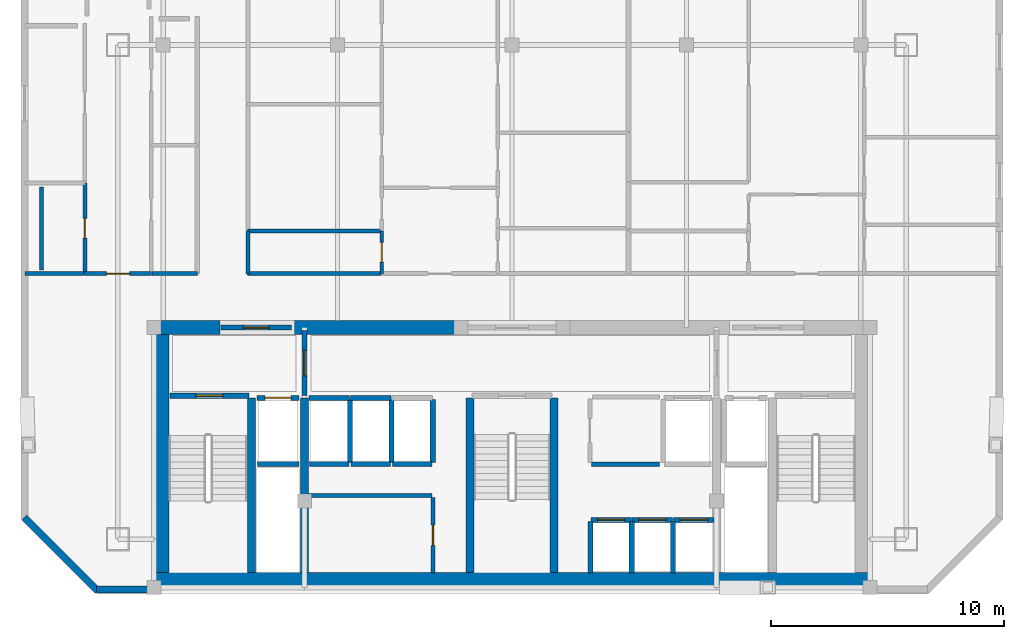
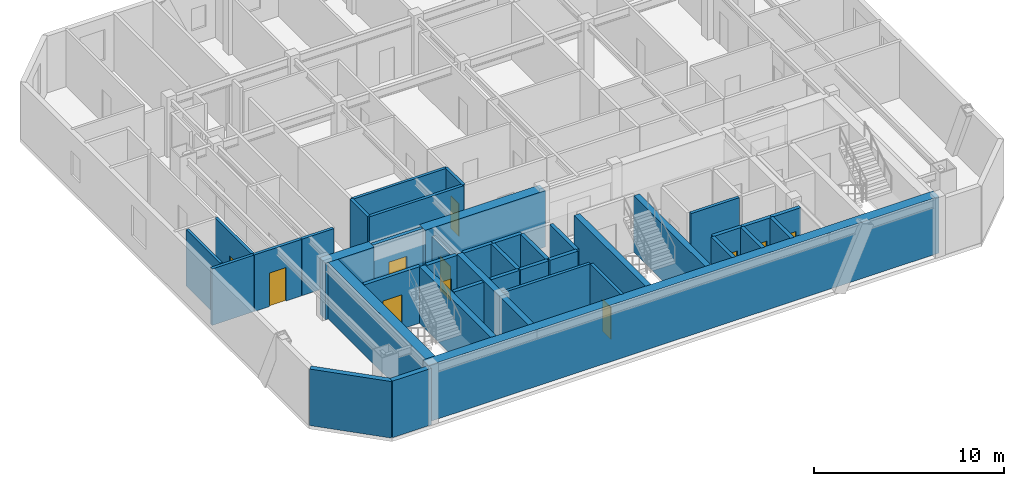
# One storey, part 2 of 7: 41 walls, 11 doors, 11 openings.
"""IFC4 building model written with IfcOpenShell, lengths in metres."""

from ifc_helpers import new_model, si_unit, direction, frame, frame_2d, origin, place, context, subcontext, project, spatial, rectangle, extrude, material, layer, layer_set, type_object, element, fill, save


model = new_model("IFC4")

# Units and contexts
model_context = context("Model", 3, precision=1e-05, world=origin(), true_north=direction((0.0, 1.0)))
body_context = subcontext(model_context, "Body", "Model", "MODEL_VIEW")
ifc_project = project(units=[si_unit("LENGTHUNIT", "METRE"), si_unit("AREAUNIT", "SQUARE_METRE"), si_unit("VOLUMEUNIT", "CUBIC_METRE"), si_unit("PLANEANGLEUNIT", "RADIAN"), si_unit("MASSUNIT", "GRAM", prefix="KILO")], contexts=[model_context])

# Site, building, storey
site_placement = place(None, origin())
site = spatial("IfcSite", under=ifc_project, at=site_placement, CompositionType="ELEMENT")
building_placement = place(site_placement, origin())
building = spatial("IfcBuilding", under=site, at=building_placement, Name="Ventersveld Concourse Tower", CompositionType="ELEMENT")
storey_placement = place(building_placement, frame((0.0, 0.0, 238.800048828125)))
storey = spatial("IfcBuildingStorey", under=building, at=storey_placement, Name="L59", CompositionType="ELEMENT", Elevation=238.800048828125)

# Walls
ifc_material_1 = material(Name="Concrete C50/60", Category="concrete")
ifc_layer_1 = layer(ifc_material_1, 0.35009765625)
ifc_layer_set_1 = layer_set([ifc_layer_1], Name="Concrete C50/60")
wall_type_1 = type_object("IfcWallType", Name="WL-CORE-350U", PredefinedType="SHEAR", material=ifc_layer_set_1)
for number, where, z_axis, x_axis, name in (
    (1, (17.5400390625, 0.919921875, 0.0), (0.0, 0.0, 1.0), (0.0, 1.0, 0.0), "L59 Core Internal Shear Web W-ST1-E"),
    (2, (19.820068359375, 0.919921875, 0.0), (0.0, 0.0, 1.0), (0.0, 1.0, 0.0), "L59 Core Internal Shear Web W-FF1-E"),
    (3, (26.93994140625, 0.919921875, 0.0), (0.0, 0.0, 1.0), (0.0, 1.0, 0.0), "L59 Core Internal Shear Web W-ST3-W"),
    (4, (30.56005859375, 0.919921875, 0.0), (0.0, 0.0, 1.0), (0.0, 1.0, 0.0), "L59 Core Internal Shear Web W-ST3-E"),
):
    element("IfcWall", number, at=place(storey_placement, frame(where, z_axis=z_axis, x_axis=x_axis)), inside=storey, type_object=wall_type_1, Name=name, PredefinedType="SHEAR", context=body_context, shape_type="SweptSolid", body=[
        extrude(rectangle(XDim=7.5, YDim=0.35009765625, at=frame_2d((3.75, 0.0))), origin(), (0.0, 0.0, 1.0), 3.6298828125),
    ])
ifc_layer_2 = layer(ifc_material_1, 0.60009765625)
ifc_layer_set_2 = layer_set([ifc_layer_2], Name="Concrete C50/60")
wall_type_2 = type_object("IfcWallType", Name="WL-CORE-600", PredefinedType="SHEAR", material=ifc_layer_set_2)
wall_1_placement = place(storey_placement, frame((13.25, 0.6201171875, 0.0), z_axis=(0.0, 0.0, 1.0), x_axis=(1.0, 0.0, 0.0)))
element("IfcWall", 5, at=wall_1_placement, inside=storey, type_object=wall_type_2, Name="L59 Rear Core South Shear Wall", PredefinedType="SHEAR", context=body_context, shape_type="SweptSolid", body=[
    extrude(rectangle(XDim=31.0, YDim=0.60009765625, at=frame_2d((15.5, 0.0))), origin(), (0.0, 0.0, 1.0), 3.6298828125),
])
wall_2_placement = place(storey_placement, frame((13.699951171875, 0.919921875, 0.0), z_axis=(0.0, 0.0, 1.0), x_axis=(0.0, 1.0, 0.0)))
element("IfcWall", 6, at=wall_2_placement, inside=storey, type_object=wall_type_2, Name="L59 Rear Core West Shear Wall", PredefinedType="SHEAR", context=body_context, shape_type="SweptSolid", body=[
    extrude(rectangle(XDim=10.530029296875, YDim=0.60009765625, at=frame_2d((5.26513671875, 0.0))), origin(), (0.0, 0.0, 1.0), 3.6298828125),
])
wall_3_placement = place(storey_placement, frame((13.25, 11.449951171875, 0.0), z_axis=(0.0, 0.0, 1.0), x_axis=(1.0, 0.0, 0.0)))
element("IfcWall", 7, at=wall_3_placement, inside=storey, type_object=wall_type_2, Name="L59 Rear Core North Shear Wall NW", PredefinedType="SHEAR", context=body_context, shape_type="SweptSolid", body=[
    extrude(rectangle(XDim=2.949951171875, YDim=0.60009765625, at=frame_2d((1.47509765625, 0.0))), origin(), (0.0, 0.0, 1.0), 3.6298828125),
])
wall_4_placement = place(storey_placement, frame((19.300048828125, 11.449951171875, 0.0), z_axis=(0.0, 0.0, 1.0), x_axis=(1.0, 0.0, 0.0)))
element("IfcWall", 8, at=wall_4_placement, inside=storey, type_object=wall_type_2, Name="L59 Rear Core North Shear Wall NML", PredefinedType="SHEAR", context=body_context, shape_type="SweptSolid", body=[
    extrude(rectangle(XDim=7.300048828125, YDim=0.60009765625, at=frame_2d((3.64990234375, 0.0))), origin(), (0.0, 0.0, 1.0), 3.6298828125),
])

# Wall, opening, door
ifc_material_2 = material(Name="Fire-rated autoclaved aerated masonry blockwork", Category="masonry")
ifc_layer_3 = layer(ifc_material_2, 0.179931640625)
ifc_layer_set_3 = layer_set([ifc_layer_3], Name="Fire-rated autoclaved aerated masonry blockwork")
wall_type_3 = type_object("IfcWallType", Name="WL-CORR-180", PredefinedType="PARTITIONING", material=ifc_layer_set_3)
wall_5_placement = place(storey_placement, frame((25.35009765625, 0.89990234375, 0.0), z_axis=(0.0, 0.0, 1.0), x_axis=(0.0, 1.0, 0.0)))
wall_5 = element("IfcWall", 9, at=wall_5_placement, inside=storey, type_object=wall_type_3, Name="L59 Core Passage Wall SP-L59-RECB1A", PredefinedType="PARTITIONING", context=body_context, shape_type="SweptSolid", body=[
    extrude(rectangle(XDim=3.239990234375, YDim=0.179931640625, at=frame_2d((1.6201171875, 0.0))), origin(), (0.0, 0.0, 1.0), 3.6298828125),
])
opening_1_placement = place(wall_5_placement, frame((1.179931640625, 0.0, 0.0)))
opening_1 = element("IfcOpeningElement", 10, at=opening_1_placement, cuts=wall_5, Name="Opening FD5", PredefinedType="OPENING", context=body_context, shape_type="SweptSolid", body=[
    extrude(rectangle(XDim=0.8798828125, YDim=2.050048828125, at=frame_2d((0.43994140625, 1.02490234375))), frame((0.0, 0.10009765625, 0.0), z_axis=(0.0, -1.0, 0.0), x_axis=(1.0, 0.0, 0.0)), (0.0, 0.0, 1.0), 0.199951171875),
])
ifc_material_3 = material(Name="Galvanised painted steel", Category="steel")
door_type_1 = type_object("IfcDoorType", Name="DR-RISER-088", OperationType="NOTDEFINED", PredefinedType="DOOR", material=ifc_material_3)
door_1_placement = place(opening_1_placement, origin())
door_1 = element("IfcDoor", 11, at=door_1_placement, inside=storey, type_object=door_type_1, Name="L59 Core Room Door L59 Reclaimed Core Quiet Study Pod (CD-L59-2828)", OperationType="SINGLE_SWING_LEFT", OverallHeight=2.050048828125, OverallWidth=0.8798828125, PredefinedType="DOOR", context=body_context, shape_type="SweptSolid", body=[
    extrude(rectangle(XDim=0.8798828125, YDim=2.050048828125, at=frame_2d((0.43994140625, 1.02490234375))), frame((0.0, 0.02490234375, 0.0), z_axis=(0.0, -1.0, 0.0), x_axis=(1.0, 0.0, 0.0)), (0.0, 0.0, 1.0), 0.050048828125),
])
fill(opening_1, door_1)

# Walls
wall_6_placement = place(storey_placement, frame((19.97998046875, 4.22998046875, 0.0), z_axis=(0.0, 0.0, 1.0), x_axis=(1.0, 0.0, 0.0)))
element("IfcWall", 12, at=wall_6_placement, inside=storey, type_object=wall_type_3, Name="L59 Core Top Wall SP-L59-RECB1A", PredefinedType="PARTITIONING", context=body_context, shape_type="SweptSolid", body=[
    extrude(rectangle(XDim=5.320068359375, YDim=0.179931640625, at=frame_2d((2.66015625, 0.0))), origin(), (0.0, 0.0, 1.0), 3.6298828125),
])
wall_7_placement = place(storey_placement, frame((32.179931640625, 5.570068359375, 0.0), z_axis=(0.0, 0.0, 1.0), x_axis=(1.0, 0.0, 0.0)))
element("IfcWall", 13, at=wall_7_placement, inside=storey, type_object=wall_type_3, Name="L59 Core Bot Wall SP-L59-CBAY1", PredefinedType="PARTITIONING", context=body_context, shape_type="SweptSolid", body=[
    extrude(rectangle(XDim=2.920166015625, YDim=0.179931640625, at=frame_2d((1.4599609375, 0.0))), origin(), (0.0, 0.0, 1.0), 3.6298828125),
])

# Wall, opening, door
wall_8_placement = place(storey_placement, frame((10.375, 13.77001953125, 0.0), z_axis=(0.0, 0.0, 1.0), x_axis=(1.0, 0.0, 0.0)))
wall_8 = element("IfcWall", 14, at=wall_8_placement, inside=storey, type_object=wall_type_3, Name="L59 Interior Partition SP-L59-COR-SP-L59-59NW-LIV", PredefinedType="PARTITIONING", context=body_context, shape_type="SweptSolid", body=[
    extrude(rectangle(XDim=2.864990234375, YDim=0.179931640625, at=frame_2d((1.4326171875, 0.0))), origin(), (0.0, 0.0, 1.0), 3.6298828125),
])
opening_2_placement = place(wall_8_placement, frame((0.9326171875, 0.0, 0.0)))
opening_2 = element("IfcOpeningElement", 15, at=opening_2_placement, cuts=wall_8, Name="Opening FD3", PredefinedType="OPENING", context=body_context, shape_type="SweptSolid", body=[
    extrude(rectangle(XDim=1.0, YDim=2.14990234375, at=frame_2d((0.5, 1.074951171875))), frame((0.0, 0.10009765625, 0.0), z_axis=(0.0, -1.0, 0.0), x_axis=(1.0, 0.0, 0.0)), (0.0, 0.0, 1.0), 0.199951171875),
])
ifc_material_4 = material(Name="Solid-core hardwood veneer timber", Category="wood")
door_type_2 = type_object("IfcDoorType", Name="DR-FLAT-100", OperationType="NOTDEFINED", PredefinedType="DOOR", material=ifc_material_4)
door_2_placement = place(opening_2_placement, origin())
door_2 = element("IfcDoor", 16, at=door_2_placement, inside=storey, type_object=door_type_2, Name="L59 Interior Door SP-L59-COR to SP-L59-59NW-LIV (FD-L59-2830)", OperationType="SINGLE_SWING_RIGHT", OverallHeight=2.14990234375, OverallWidth=1.0, PredefinedType="DOOR", context=body_context, shape_type="SweptSolid", body=[
    extrude(rectangle(XDim=1.0, YDim=2.14990234375, at=frame_2d((0.5, 1.074951171875))), frame((0.0, 0.02490234375, 0.0), z_axis=(0.0, -1.0, 0.0), x_axis=(1.0, 0.0, 0.0)), (0.0, 0.0, 1.0), 0.050048828125),
])
fill(opening_2, door_2)

# Walls
wall_9_placement = place(storey_placement, frame((7.814697265625, 13.77001953125, 0.0), z_axis=(0.0, 0.0, 1.0), x_axis=(1.0, 0.0, 0.0)))
element("IfcWall", 17, at=wall_9_placement, inside=storey, type_object=wall_type_3, Name="L59 Interior Partition SP-L59-COR-SP-L59-59NW-BATH", PredefinedType="PARTITIONING", context=body_context, shape_type="SweptSolid", body=[
    extrude(rectangle(XDim=2.5302734375, YDim=0.179931640625, at=frame_2d((1.26513671875, 0.0))), origin(), (0.0, 0.0, 1.0), 3.6298828125),
])
wall_10_placement = place(storey_placement, frame((13.27001953125, 13.77001953125, 0.0), z_axis=(0.0, 0.0, 1.0), x_axis=(1.0, 0.0, 0.0)))
element("IfcWall", 18, at=wall_10_placement, inside=storey, type_object=wall_type_3, Name="L59 Interior Partition SP-L59-COR-SP-L59-59NW-KIT", PredefinedType="PARTITIONING", context=body_context, shape_type="SweptSolid", body=[
    extrude(rectangle(XDim=1.945068359375, YDim=0.179931640625, at=frame_2d((0.97265625, 0.0))), origin(), (0.0, 0.0, 1.0), 3.6298828125),
])
wall_11_placement = place(storey_placement, frame((17.385009765625, 13.77001953125, 0.0), z_axis=(0.0, 0.0, 1.0), x_axis=(1.0, 0.0, 0.0)))
element("IfcWall", 19, at=wall_11_placement, inside=storey, type_object=wall_type_3, Name="L59 Interior Partition SP-L59-COR-SP-L59-59N1-BATH", PredefinedType="PARTITIONING", context=body_context, shape_type="SweptSolid", body=[
    extrude(rectangle(XDim=5.7314453125, YDim=0.179931640625, at=frame_2d((2.86572265625, 0.0))), origin(), (0.0, 0.0, 1.0), 3.6298828125),
])
wall_12_placement = place(storey_placement, frame((17.389892578125, 13.764892578125, 0.0), z_axis=(0.0, 0.0, 1.0), x_axis=(0.0, 1.0, 0.0)))
element("IfcWall", 20, at=wall_12_placement, inside=storey, type_object=wall_type_3, Name="L59 Interior Partition SP-L59-COR-SP-L59-59N1-BATH", PredefinedType="PARTITIONING", context=body_context, shape_type="SweptSolid", body=[
    extrude(rectangle(XDim=1.840087890625, YDim=0.179931640625, at=frame_2d((0.919921875, 0.0))), origin(), (0.0, 0.0, 1.0), 3.6298828125),
])
ifc_layer_4 = layer(ifc_material_2, 0.219970703125)
ifc_layer_set_4 = layer_set([ifc_layer_4], Name="Fire-rated autoclaved aerated masonry blockwork")
wall_type_4 = type_object("IfcWallType", Name="WL-HOIST-220", PredefinedType="SOLIDWALL", material=ifc_layer_set_4)
wall_13_placement = place(storey_placement, frame((17.800048828125, 5.590087890625, 0.0), z_axis=(0.0, 0.0, 1.0), x_axis=(1.0, 0.0, 0.0)))
element("IfcWall", 21, at=wall_13_placement, inside=storey, type_object=wall_type_4, Name="L59 Lift Hoistway Back Wall FFL-01", PredefinedType="SOLIDWALL", context=body_context, shape_type="SweptSolid", body=[
    extrude(rectangle(XDim=1.780029296875, YDim=0.219970703125, at=frame_2d((0.89013671875, 0.0))), origin(), (0.0, 0.0, 1.0), 3.6298828125),
])

# Wall, opening, door
wall_14_placement = place(storey_placement, frame((17.780029296875, 8.429931640625, 0.0), z_axis=(0.0, 0.0, 1.0), x_axis=(1.0, 0.0, 0.0)))
wall_14 = element("IfcWall", 22, at=wall_14_placement, inside=storey, type_object=wall_type_4, Name="L59 Lift Hoistway Front Wall FFL-01", PredefinedType="SOLIDWALL", context=body_context, shape_type="SweptSolid", body=[
    extrude(rectangle(XDim=1.820068359375, YDim=0.219970703125, at=frame_2d((0.91015625, 0.0))), origin(), (0.0, 0.0, 1.0), 3.6298828125),
])
opening_3_placement = place(wall_14_placement, frame((0.35009765625, 0.0, 0.0)))
opening_3 = element("IfcOpeningElement", 23, at=opening_3_placement, cuts=wall_14, Name="Opening LD1", PredefinedType="OPENING", context=body_context, shape_type="SweptSolid", body=[
    extrude(rectangle(XDim=1.1201171875, YDim=2.25, at=frame_2d((0.56005859375, 1.125))), frame((0.0, 0.1201171875, 0.0), z_axis=(0.0, -1.0, 0.0), x_axis=(1.0, 0.0, 0.0)), (0.0, 0.0, 1.0), 0.239990234375),
])
ifc_material_5 = material(Name="Brushed stainless steel 316", Category="steel")
door_type_3 = type_object("IfcDoorType", Name="LD-FF-112", OperationType="SLIDING_TO_LEFT", PredefinedType="DOOR", material=ifc_material_5)
door_3_placement = place(opening_3_placement, origin())
door_3 = element("IfcDoor", 24, at=door_3_placement, inside=storey, type_object=door_type_3, Name="L59 Lift landing door FFL-01 (LD-L59-FFL-01)", OperationType="SLIDING_TO_LEFT", OverallHeight=2.25, OverallWidth=1.1201171875, PredefinedType="DOOR", context=body_context, shape_type="SweptSolid", body=[
    extrude(rectangle(XDim=1.1201171875, YDim=2.25, at=frame_2d((0.56005859375, 1.125))), frame((0.0, 0.02490234375, 0.0), z_axis=(0.0, -1.0, 0.0), x_axis=(1.0, 0.0, 0.0)), (0.0, 0.0, 1.0), 0.050048828125),
])
fill(opening_3, door_3)

# Walls
for number, where, z_axis, x_axis, name in (
    (25, (32.1201171875, 0.89990234375, 0.0), (0.0, 0.0, 1.0), (0.0, 1.0, 0.0), "L59 Lift Hoistway Side Wall PM-01W"),
    (26, (33.89990234375, 0.89990234375, 0.0), (0.0, 0.0, 1.0), (0.0, 1.0, 0.0), "L59 Lift Hoistway Side Wall PM-01E"),
):
    element("IfcWall", number, at=place(storey_placement, frame(where, z_axis=z_axis, x_axis=x_axis)), inside=storey, type_object=wall_type_4, Name=name, PredefinedType="SOLIDWALL", context=body_context, shape_type="SweptSolid", body=[
        extrude(rectangle(XDim=2.2001953125, YDim=0.219970703125, at=frame_2d((1.10009765625, 0.0))), origin(), (0.0, 0.0, 1.0), 3.6298828125),
    ])

# Wall, opening, door
wall_15_placement = place(storey_placement, frame((32.139892578125, 3.179931640625, 0.0), z_axis=(0.0, 0.0, 1.0), x_axis=(1.0, 0.0, 0.0)))
wall_15 = element("IfcWall", 27, at=wall_15_placement, inside=storey, type_object=wall_type_4, Name="L59 Lift Hoistway Front Wall PM-01", PredefinedType="SOLIDWALL", context=body_context, shape_type="SweptSolid", body=[
    extrude(rectangle(XDim=1.739990234375, YDim=0.219970703125, at=frame_2d((0.8701171875, 0.0))), origin(), (0.0, 0.0, 1.0), 3.6298828125),
])
opening_4_placement = place(wall_15_placement, frame((0.280029296875, 0.0, 0.0)))
opening_4 = element("IfcOpeningElement", 28, at=opening_4_placement, cuts=wall_15, Name="Opening LD2", PredefinedType="OPENING", context=body_context, shape_type="SweptSolid", body=[
    extrude(rectangle(XDim=1.179931640625, YDim=2.199951171875, at=frame_2d((0.58984375, 1.10009765625))), frame((0.0, 0.1201171875, 0.0), z_axis=(0.0, -1.0, 0.0), x_axis=(1.0, 0.0, 0.0)), (0.0, 0.0, 1.0), 0.239990234375),
])
door_type_4 = type_object("IfcDoorType", Name="LD-PAX-118", OperationType="SLIDING_TO_LEFT", PredefinedType="DOOR", material=ifc_material_5)
door_4_placement = place(opening_4_placement, origin())
door_4 = element("IfcDoor", 29, at=door_4_placement, inside=storey, type_object=door_type_4, Name="L59 Lift landing door PM-01 (LD-L59-PM-01)", OperationType="SLIDING_TO_RIGHT", OverallHeight=2.199951171875, OverallWidth=1.179931640625, PredefinedType="DOOR", context=body_context, shape_type="SweptSolid", body=[
    extrude(rectangle(XDim=1.179931640625, YDim=2.199951171875, at=frame_2d((0.58984375, 1.10009765625))), frame((0.0, 0.02490234375, 0.0), z_axis=(0.0, -1.0, 0.0), x_axis=(1.0, 0.0, 0.0)), (0.0, 0.0, 1.0), 0.050048828125),
])
fill(opening_4, door_4)

# Wall
wall_16_placement = place(storey_placement, frame((35.679931640625, 0.89990234375, 0.0), z_axis=(0.0, 0.0, 1.0), x_axis=(0.0, 1.0, 0.0)))
element("IfcWall", 30, at=wall_16_placement, inside=storey, type_object=wall_type_4, Name="L59 Lift Hoistway Side Wall PM-02E", PredefinedType="SOLIDWALL", context=body_context, shape_type="SweptSolid", body=[
    extrude(rectangle(XDim=2.2001953125, YDim=0.219970703125, at=frame_2d((1.10009765625, 0.0))), origin(), (0.0, 0.0, 1.0), 3.6298828125),
])

# Wall, opening, door
wall_17_placement = place(storey_placement, frame((33.919921875, 3.179931640625, 0.0), z_axis=(0.0, 0.0, 1.0), x_axis=(1.0, 0.0, 0.0)))
wall_17 = element("IfcWall", 31, at=wall_17_placement, inside=storey, type_object=wall_type_4, Name="L59 Lift Hoistway Front Wall PM-02", PredefinedType="SOLIDWALL", context=body_context, shape_type="SweptSolid", body=[
    extrude(rectangle(XDim=1.739990234375, YDim=0.219970703125, at=frame_2d((0.8701171875, 0.0))), origin(), (0.0, 0.0, 1.0), 3.6298828125),
])
opening_5_placement = place(wall_17_placement, frame((0.280029296875, 0.0, 0.0)))
opening_5 = element("IfcOpeningElement", 32, at=opening_5_placement, cuts=wall_17, Name="Opening LD2", PredefinedType="OPENING", context=body_context, shape_type="SweptSolid", body=[
    extrude(rectangle(XDim=1.179931640625, YDim=2.199951171875, at=frame_2d((0.58984375, 1.10009765625))), frame((0.0, 0.1201171875, 0.0), z_axis=(0.0, -1.0, 0.0), x_axis=(1.0, 0.0, 0.0)), (0.0, 0.0, 1.0), 0.239990234375),
])
door_5_placement = place(opening_5_placement, origin())
door_5 = element("IfcDoor", 33, at=door_5_placement, inside=storey, type_object=door_type_4, Name="L59 Lift landing door PM-02 (LD-L59-PM-02)", OperationType="SLIDING_TO_LEFT", OverallHeight=2.199951171875, OverallWidth=1.179931640625, PredefinedType="DOOR", context=body_context, shape_type="SweptSolid", body=[
    extrude(rectangle(XDim=1.179931640625, YDim=2.199951171875, at=frame_2d((0.58984375, 1.10009765625))), frame((0.0, 0.02490234375, 0.0), z_axis=(0.0, -1.0, 0.0), x_axis=(1.0, 0.0, 0.0)), (0.0, 0.0, 1.0), 0.050048828125),
])
fill(opening_5, door_5)

wall_18_placement = place(storey_placement, frame((35.699951171875, 3.179931640625, 0.0), z_axis=(0.0, 0.0, 1.0), x_axis=(1.0, 0.0, 0.0)))
wall_18 = element("IfcWall", 34, at=wall_18_placement, inside=storey, type_object=wall_type_4, Name="L59 Lift Hoistway Front Wall PM-03", PredefinedType="SOLIDWALL", context=body_context, shape_type="SweptSolid", body=[
    extrude(rectangle(XDim=1.739990234375, YDim=0.219970703125, at=frame_2d((0.8701171875, 0.0))), origin(), (0.0, 0.0, 1.0), 3.6298828125),
])
opening_6_placement = place(wall_18_placement, frame((0.280029296875, 0.0, 0.0)))
opening_6 = element("IfcOpeningElement", 35, at=opening_6_placement, cuts=wall_18, Name="Opening LD2", PredefinedType="OPENING", context=body_context, shape_type="SweptSolid", body=[
    extrude(rectangle(XDim=1.179931640625, YDim=2.199951171875, at=frame_2d((0.58984375, 1.10009765625))), frame((0.0, 0.1201171875, 0.0), z_axis=(0.0, -1.0, 0.0), x_axis=(1.0, 0.0, 0.0)), (0.0, 0.0, 1.0), 0.239990234375),
])
door_6_placement = place(opening_6_placement, origin())
door_6 = element("IfcDoor", 36, at=door_6_placement, inside=storey, type_object=door_type_4, Name="L59 Lift landing door PM-03 (LD-L59-PM-03)", OperationType="SLIDING_TO_RIGHT", OverallHeight=2.199951171875, OverallWidth=1.179931640625, PredefinedType="DOOR", context=body_context, shape_type="SweptSolid", body=[
    extrude(rectangle(XDim=1.179931640625, YDim=2.199951171875, at=frame_2d((0.58984375, 1.10009765625))), frame((0.0, 0.02490234375, 0.0), z_axis=(0.0, -1.0, 0.0), x_axis=(1.0, 0.0, 0.0)), (0.0, 0.0, 1.0), 0.050048828125),
])
fill(opening_6, door_6)

# Walls
wall_19_placement = place(storey_placement, frame((20.0400390625, 5.590087890625, 0.0), z_axis=(0.0, 0.0, 1.0), x_axis=(1.0, 0.0, 0.0)))
element("IfcWall", 37, at=wall_19_placement, inside=storey, type_object=wall_type_4, Name="L59 Lift Hoistway Back Wall PH-01", PredefinedType="SOLIDWALL", context=body_context, shape_type="SweptSolid", body=[
    extrude(rectangle(XDim=1.699951171875, YDim=0.219970703125, at=frame_2d((0.85009765625, 0.0))), origin(), (0.0, 0.0, 1.0), 3.6298828125),
])
wall_20_placement = place(storey_placement, frame((21.780029296875, 5.64990234375, 0.0), z_axis=(0.0, 0.0, 1.0), x_axis=(0.0, 1.0, 0.0)))
element("IfcWall", 38, at=wall_20_placement, inside=storey, type_object=wall_type_4, Name="L59 Lift Hoistway Side Wall PH-01E", PredefinedType="SOLIDWALL", context=body_context, shape_type="SweptSolid", body=[
    extrude(rectangle(XDim=2.7001953125, YDim=0.219970703125, at=frame_2d((1.35009765625, 0.0))), origin(), (0.0, 0.0, 1.0), 3.6298828125),
])
wall_21_placement = place(storey_placement, frame((20.02001953125, 8.429931640625, 0.0), z_axis=(0.0, 0.0, 1.0), x_axis=(1.0, 0.0, 0.0)))
element("IfcWall", 39, at=wall_21_placement, inside=storey, type_object=wall_type_4, Name="L59 Lift Hoistway Front Wall PH-01", PredefinedType="SOLIDWALL", context=body_context, shape_type="SweptSolid", body=[
    extrude(rectangle(XDim=1.739990234375, YDim=0.219970703125, at=frame_2d((0.8701171875, 0.0))), origin(), (0.0, 0.0, 1.0), 3.6298828125),
])
wall_22_placement = place(storey_placement, frame((21.820068359375, 5.590087890625, 0.0), z_axis=(0.0, 0.0, 1.0), x_axis=(1.0, 0.0, 0.0)))
element("IfcWall", 40, at=wall_22_placement, inside=storey, type_object=wall_type_4, Name="L59 Lift Hoistway Back Wall PH-02", PredefinedType="SOLIDWALL", context=body_context, shape_type="SweptSolid", body=[
    extrude(rectangle(XDim=1.699951171875, YDim=0.219970703125, at=frame_2d((0.85009765625, 0.0))), origin(), (0.0, 0.0, 1.0), 3.6298828125),
])
wall_23_placement = place(storey_placement, frame((23.56005859375, 5.64990234375, 0.0), z_axis=(0.0, 0.0, 1.0), x_axis=(0.0, 1.0, 0.0)))
element("IfcWall", 41, at=wall_23_placement, inside=storey, type_object=wall_type_4, Name="L59 Lift Hoistway Side Wall PH-02E", PredefinedType="SOLIDWALL", context=body_context, shape_type="SweptSolid", body=[
    extrude(rectangle(XDim=2.7001953125, YDim=0.219970703125, at=frame_2d((1.35009765625, 0.0))), origin(), (0.0, 0.0, 1.0), 3.6298828125),
])
wall_24_placement = place(storey_placement, frame((21.800048828125, 8.429931640625, 0.0), z_axis=(0.0, 0.0, 1.0), x_axis=(1.0, 0.0, 0.0)))
element("IfcWall", 42, at=wall_24_placement, inside=storey, type_object=wall_type_4, Name="L59 Lift Hoistway Front Wall PH-02", PredefinedType="SOLIDWALL", context=body_context, shape_type="SweptSolid", body=[
    extrude(rectangle(XDim=1.739990234375, YDim=0.219970703125, at=frame_2d((0.8701171875, 0.0))), origin(), (0.0, 0.0, 1.0), 3.6298828125),
])
wall_25_placement = place(storey_placement, frame((23.60009765625, 5.590087890625, 0.0), z_axis=(0.0, 0.0, 1.0), x_axis=(1.0, 0.0, 0.0)))
element("IfcWall", 43, at=wall_25_placement, inside=storey, type_object=wall_type_4, Name="L59 Lift Hoistway Back Wall PH-03", PredefinedType="SOLIDWALL", context=body_context, shape_type="SweptSolid", body=[
    extrude(rectangle(XDim=1.699951171875, YDim=0.219970703125, at=frame_2d((0.85009765625, 0.0))), origin(), (0.0, 0.0, 1.0), 3.6298828125),
])
wall_26_placement = place(storey_placement, frame((25.340087890625, 5.64990234375, 0.0), z_axis=(0.0, 0.0, 1.0), x_axis=(0.0, 1.0, 0.0)))
element("IfcWall", 44, at=wall_26_placement, inside=storey, type_object=wall_type_4, Name="L59 Lift Hoistway Side Wall PH-03E", PredefinedType="SOLIDWALL", context=body_context, shape_type="SweptSolid", body=[
    extrude(rectangle(XDim=2.7001953125, YDim=0.219970703125, at=frame_2d((1.35009765625, 0.0))), origin(), (0.0, 0.0, 1.0), 3.6298828125),
])

# Wall, opening, door
wall_27_placement = place(storey_placement, frame((14.0400390625, 8.52001953125, 0.0), z_axis=(0.0, 0.0, 1.0), x_axis=(1.0, 0.0, 0.0)))
wall_27 = element("IfcWall", 45, at=wall_27_placement, inside=storey, type_object=wall_type_4, Name="L59 Escape Stair ST01 Fire Wall", PredefinedType="SOLIDWALL", context=body_context, shape_type="SweptSolid", body=[
    extrude(rectangle(XDim=3.39990234375, YDim=0.219970703125, at=frame_2d((1.699951171875, 0.0))), origin(), (0.0, 0.0, 1.0), 3.6298828125),
])
opening_7_placement = place(wall_27_placement, frame((1.125, 0.0, 0.0)))
opening_7 = element("IfcOpeningElement", 46, at=opening_7_placement, cuts=wall_27, Name="Opening FD1", PredefinedType="OPENING", context=body_context, shape_type="SweptSolid", body=[
    extrude(rectangle(XDim=1.14990234375, YDim=2.199951171875, at=frame_2d((0.574951171875, 1.10009765625))), frame((0.0, 0.1201171875, 0.0), z_axis=(0.0, -1.0, 0.0), x_axis=(1.0, 0.0, 0.0)), (0.0, 0.0, 1.0), 0.239990234375),
])
door_type_5 = type_object("IfcDoorType", Name="DR-STAIR-115", OperationType="NOTDEFINED", PredefinedType="DOOR", material=ifc_material_3)
door_7_placement = place(opening_7_placement, origin())
door_7 = element("IfcDoor", 47, at=door_7_placement, inside=storey, type_object=door_type_5, Name="L59 Escape Stair Door ST01 (SD-L59-2820)", OperationType="SINGLE_SWING_LEFT", OverallHeight=2.199951171875, OverallWidth=1.14990234375, PredefinedType="DOOR", context=body_context, shape_type="SweptSolid", body=[
    extrude(rectangle(XDim=1.14990234375, YDim=2.199951171875, at=frame_2d((0.574951171875, 1.10009765625))), frame((0.0, 0.02490234375, 0.0), z_axis=(0.0, -1.0, 0.0), x_axis=(1.0, 0.0, 0.0)), (0.0, 0.0, 1.0), 0.050048828125),
])
fill(opening_7, door_7)

wall_28_placement = place(storey_placement, frame((19.820068359375, 8.52001953125, 0.0), z_axis=(0.0, 0.0, 1.0), x_axis=(0.0, 1.0, 0.0)))
wall_28 = element("IfcWall", 48, at=wall_28_placement, inside=storey, type_object=wall_type_4, Name="L59 Firefighting Lobby Smoke-Stop Wall FFLW-SEP", PredefinedType="SOLIDWALL", context=body_context, shape_type="SweptSolid", body=[
    extrude(rectangle(XDim=2.800048828125, YDim=0.219970703125, at=frame_2d((1.39990234375, 0.0))), origin(), (0.0, 0.0, 1.0), 3.08544921875),
])
opening_8_placement = place(wall_28_placement, frame((0.85009765625, 0.0, 0.0)))
opening_8 = element("IfcOpeningElement", 49, at=opening_8_placement, cuts=wall_28, Name="Opening FD2", PredefinedType="OPENING", context=body_context, shape_type="SweptSolid", body=[
    extrude(rectangle(XDim=1.10009765625, YDim=2.199951171875, at=frame_2d((0.550048828125, 1.10009765625))), frame((0.0, 0.1201171875, 0.0), z_axis=(0.0, -1.0, 0.0), x_axis=(1.0, 0.0, 0.0)), (0.0, 0.0, 1.0), 0.239990234375),
])
door_type_6 = type_object("IfcDoorType", Name="DR-FFL-110", OperationType="NOTDEFINED", PredefinedType="DOOR", material=ifc_material_3)
door_8_placement = place(opening_8_placement, origin())
door_8 = element("IfcDoor", 50, at=door_8_placement, inside=storey, type_object=door_type_6, Name="L59 Firefighting Lobby Door FFLW-SEP (FD-L59-2823)", OperationType="SINGLE_SWING_LEFT", OverallHeight=2.199951171875, OverallWidth=1.10009765625, PredefinedType="DOOR", context=body_context, shape_type="SweptSolid", body=[
    extrude(rectangle(XDim=1.10009765625, YDim=2.199951171875, at=frame_2d((0.550048828125, 1.10009765625))), frame((0.0, 0.02490234375, 0.0), z_axis=(0.0, -1.0, 0.0), x_axis=(1.0, 0.0, 0.0)), (0.0, 0.0, 1.0), 0.050048828125),
])
fill(opening_8, door_8)

wall_29_placement = place(storey_placement, frame((16.22998046875, 11.449951171875, 0.0), z_axis=(0.0, 0.0, 1.0), x_axis=(1.0, 0.0, 0.0)))
wall_29 = element("IfcWall", 51, at=wall_29_placement, inside=storey, type_object=wall_type_4, Name="L59 Core North Fire Portal FFLW-OUT", PredefinedType="SOLIDWALL", context=body_context, shape_type="SweptSolid", body=[
    extrude(rectangle(XDim=3.0400390625, YDim=0.219970703125, at=frame_2d((1.52001953125, 0.0))), origin(), (0.0, 0.0, 1.0), 3.6298828125),
])
opening_9_placement = place(wall_29_placement, frame((0.969970703125, 0.0, 0.0)))
opening_9 = element("IfcOpeningElement", 52, at=opening_9_placement, cuts=wall_29, Name="Opening FD2", PredefinedType="OPENING", context=body_context, shape_type="SweptSolid", body=[
    extrude(rectangle(XDim=1.10009765625, YDim=2.199951171875, at=frame_2d((0.550048828125, 1.10009765625))), frame((0.0, 0.1201171875, 0.0), z_axis=(0.0, -1.0, 0.0), x_axis=(1.0, 0.0, 0.0)), (0.0, 0.0, 1.0), 0.239990234375),
])
door_9_placement = place(opening_9_placement, origin())
door_9 = element("IfcDoor", 53, at=door_9_placement, inside=storey, type_object=door_type_6, Name="L59 Core Lobby Fire Door FFLW-OUT (FD-L59-2825)", OperationType="SINGLE_SWING_RIGHT", OverallHeight=2.199951171875, OverallWidth=1.10009765625, PredefinedType="DOOR", context=body_context, shape_type="SweptSolid", body=[
    extrude(rectangle(XDim=1.10009765625, YDim=2.199951171875, at=frame_2d((0.550048828125, 1.10009765625))), frame((0.0, 0.02490234375, 0.0), z_axis=(0.0, -1.0, 0.0), x_axis=(1.0, 0.0, 0.0)), (0.0, 0.0, 1.0), 0.050048828125),
])
fill(opening_9, door_9)

# Walls
ifc_material_6 = material(Name="Precast concrete C45/55", Category="concrete")
ifc_layer_5 = layer(ifc_material_6, 0.300048828125)
ifc_layer_set_5 = layer_set([ifc_layer_5], Name="Precast concrete C45/55")
wall_type_5 = type_object("IfcWallType", Name="WL-PREC-300", PredefinedType="SOLIDWALL", material=ifc_layer_set_5)
wall_30_placement = place(storey_placement, frame((10.882080078125, 0.179931640625, 0.0), z_axis=(0.0, 0.0, 1.0), x_axis=(1.0, 0.0, 0.0)))
element("IfcWall", 54, at=wall_30_placement, inside=storey, type_object=wall_type_5, Name="L59 South-West Flank Precast Wall", PredefinedType="SOLIDWALL", context=body_context, shape_type="SweptSolid", body=[
    extrude(rectangle(XDim=2.367919921875, YDim=0.300048828125, at=frame_2d((1.18408203125, 0.0))), origin(), (0.0, 0.0, 1.0), 3.6298828125),
])
wall_31_placement = place(storey_placement, frame((7.776611328125, 3.27783203125, 0.0), z_axis=(0.0, 0.0, 1.0), x_axis=(0.707106781187, -0.707106781187, 0.0)))
element("IfcWall", 55, at=wall_31_placement, inside=storey, type_object=wall_type_5, Name="L59 Highveld Precast Facade Wall E08", PredefinedType="SOLIDWALL", context=body_context, shape_type="SweptSolid", body=[
    extrude(rectangle(XDim=4.4453125, YDim=0.300048828125, at=frame_2d((2.22265625, 0.0))), origin(), (0.0, 0.0, 1.0), 3.6298828125),
])

# Wall, opening, door
ifc_material_7 = material(Name="Autoclaved aerated masonry blockwork", Category="masonry")
ifc_layer_6 = layer(ifc_material_7, 0.1650390625)
ifc_layer_set_6 = layer_set([ifc_layer_6], Name="Autoclaved aerated masonry blockwork")
wall_type_6 = type_object("IfcWallType", Name="WL-WET-165", PredefinedType="PLUMBINGWALL", material=ifc_layer_set_6)
wall_32_placement = place(storey_placement, frame((10.3798828125, 13.764892578125, 0.0), z_axis=(0.0, 0.0, 1.0), x_axis=(0.0, 1.0, 0.0)))
wall_32 = element("IfcWall", 56, at=wall_32_placement, inside=storey, type_object=wall_type_6, Name="L59 Interior Partition SP-L59-59NW-LIV-SP-L59-59NW-BATH", PredefinedType="PLUMBINGWALL", context=body_context, shape_type="SweptSolid", body=[
    extrude(rectangle(XDim=3.9052734375, YDim=0.1650390625, at=frame_2d((1.95263671875, 0.0))), origin(), (0.0, 0.0, 1.0), 3.6298828125),
])
opening_10_placement = place(wall_32_placement, frame((1.527587890625, 0.0, 0.0)))
opening_10 = element("IfcOpeningElement", 57, at=opening_10_placement, cuts=wall_32, Name="Opening ID2", PredefinedType="OPENING", context=body_context, shape_type="SweptSolid", body=[
    extrude(rectangle(XDim=0.85009765625, YDim=2.10009765625, at=frame_2d((0.425048828125, 1.050048828125))), frame((0.0, 0.092529296875, 0.0), z_axis=(0.0, -1.0, 0.0), x_axis=(1.0, 0.0, 0.0)), (0.0, 0.0, 1.0), 0.18505859375),
])
door_type_7 = type_object("IfcDoorType", Name="DR-BATH-085", OperationType="NOTDEFINED", PredefinedType="DOOR", material=ifc_material_4)
door_10_placement = place(opening_10_placement, origin())
door_10 = element("IfcDoor", 58, at=door_10_placement, inside=storey, type_object=door_type_7, Name="L59 Interior Door SP-L59-59NW-LIV to SP-L59-59NW-BATH (D-L59-2833)", OperationType="SINGLE_SWING_LEFT", OverallHeight=2.10009765625, OverallWidth=0.85009765625, PredefinedType="DOOR", context=body_context, shape_type="SweptSolid", body=[
    extrude(rectangle(XDim=0.85009765625, YDim=2.10009765625, at=frame_2d((0.425048828125, 1.050048828125))), frame((0.0, 0.02490234375, 0.0), z_axis=(0.0, -1.0, 0.0), x_axis=(1.0, 0.0, 0.0)), (0.0, 0.0, 1.0), 0.050048828125),
])
fill(opening_10, door_10)

wall_33_placement = place(storey_placement, frame((23.151611328125, 13.764892578125, 0.0), z_axis=(0.0, 0.0, 1.0), x_axis=(0.0, 1.0, 0.0)))
wall_33 = element("IfcWall", 59, at=wall_33_placement, inside=storey, type_object=wall_type_6, Name="L59 Interior Partition SP-L59-59N1-FOY-SP-L59-59N1-BATH", PredefinedType="PLUMBINGWALL", context=body_context, shape_type="SweptSolid", body=[
    extrude(rectangle(XDim=1.840087890625, YDim=0.1650390625, at=frame_2d((0.919921875, 0.0))), origin(), (0.0, 0.0, 1.0), 3.6298828125),
])
opening_11_placement = place(wall_33_placement, frame((0.4951171875, 0.0, 0.0)))
opening_11 = element("IfcOpeningElement", 60, at=opening_11_placement, cuts=wall_33, Name="Opening ID2", PredefinedType="OPENING", context=body_context, shape_type="SweptSolid", body=[
    extrude(rectangle(XDim=0.85009765625, YDim=2.10009765625, at=frame_2d((0.425048828125, 1.050048828125))), frame((0.0, 0.092529296875, 0.0), z_axis=(0.0, -1.0, 0.0), x_axis=(1.0, 0.0, 0.0)), (0.0, 0.0, 1.0), 0.18505859375),
])
door_11_placement = place(opening_11_placement, origin())
door_11 = element("IfcDoor", 61, at=door_11_placement, inside=storey, type_object=door_type_7, Name="L59 Interior Door SP-L59-59N1-FOY to SP-L59-59N1-BATH (D-L59-2840)", OperationType="SINGLE_SWING_RIGHT", OverallHeight=2.10009765625, OverallWidth=0.85009765625, PredefinedType="DOOR", context=body_context, shape_type="SweptSolid", body=[
    extrude(rectangle(XDim=0.85009765625, YDim=2.10009765625, at=frame_2d((0.425048828125, 1.050048828125))), frame((0.0, 0.02490234375, 0.0), z_axis=(0.0, -1.0, 0.0), x_axis=(1.0, 0.0, 0.0)), (0.0, 0.0, 1.0), 0.050048828125),
])
fill(opening_11, door_11)

# Walls
wall_34_placement = place(storey_placement, frame((17.385009765625, 15.60009765625, 0.0), z_axis=(0.0, 0.0, 1.0), x_axis=(1.0, 0.0, 0.0)))
element("IfcWall", 62, at=wall_34_placement, inside=storey, type_object=wall_type_6, Name="L59 Interior Partition SP-L59-59N1-BATH-SP-L59-59N1-OFFL0", PredefinedType="PLUMBINGWALL", context=body_context, shape_type="SweptSolid", body=[
    extrude(rectangle(XDim=5.771484375, YDim=0.1650390625, at=frame_2d((2.8857421875, 0.0))), origin(), (0.0, 0.0, 1.0), 3.6298828125),
])
wall_35_placement = place(storey_placement, frame((8.522216796875, 13.93505859375, 0.0), z_axis=(0.0, 0.0, 1.0), x_axis=(0.0, 1.0, 0.0)))
element("IfcWall", 63, at=wall_35_placement, inside=storey, type_object=wall_type_6, Name="L59 Room Enclosure Wall SP-L59-59NW-BATH", PredefinedType="PLUMBINGWALL", context=body_context, shape_type="SweptSolid", body=[
    extrude(rectangle(XDim=3.56494140625, YDim=0.1650390625, at=frame_2d((1.782470703125, 0.0))), origin(), (0.0, 0.0, 1.0), 3.6298828125),
])

save(model, "model.ifc")
